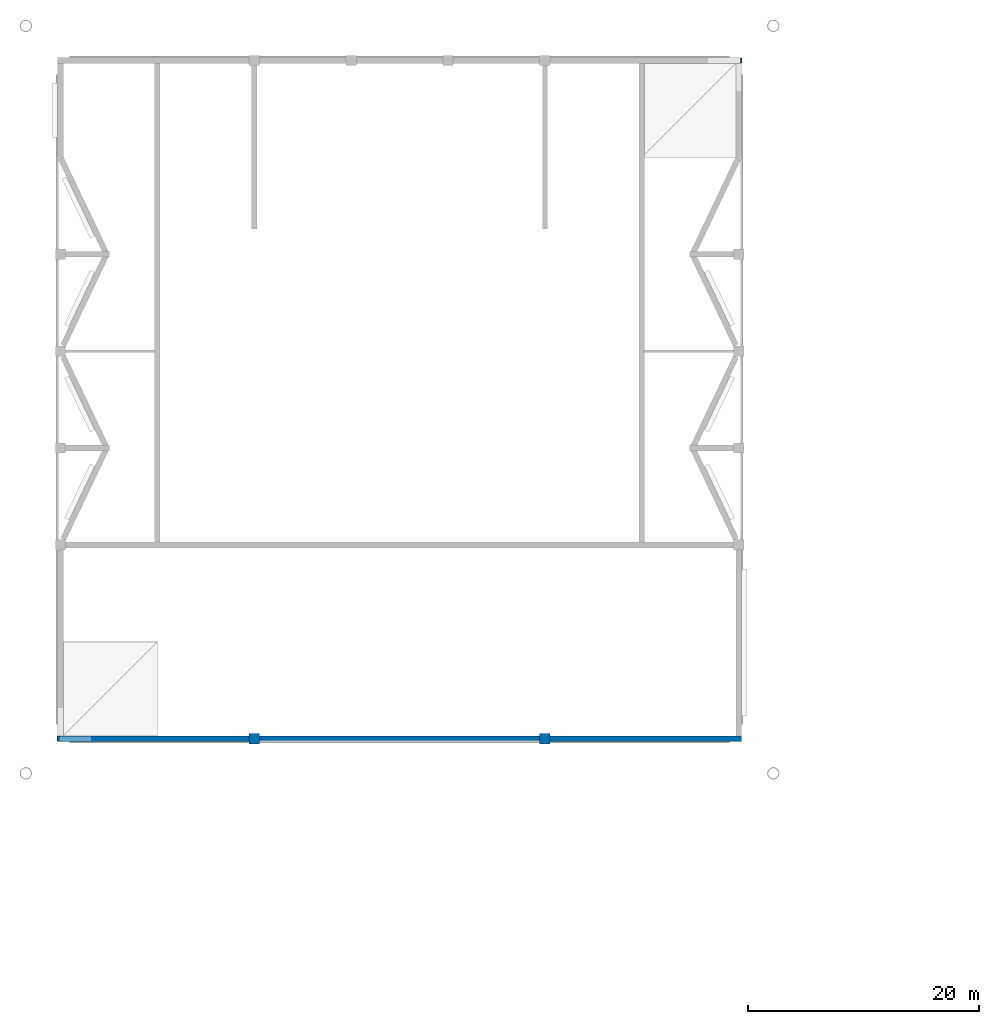
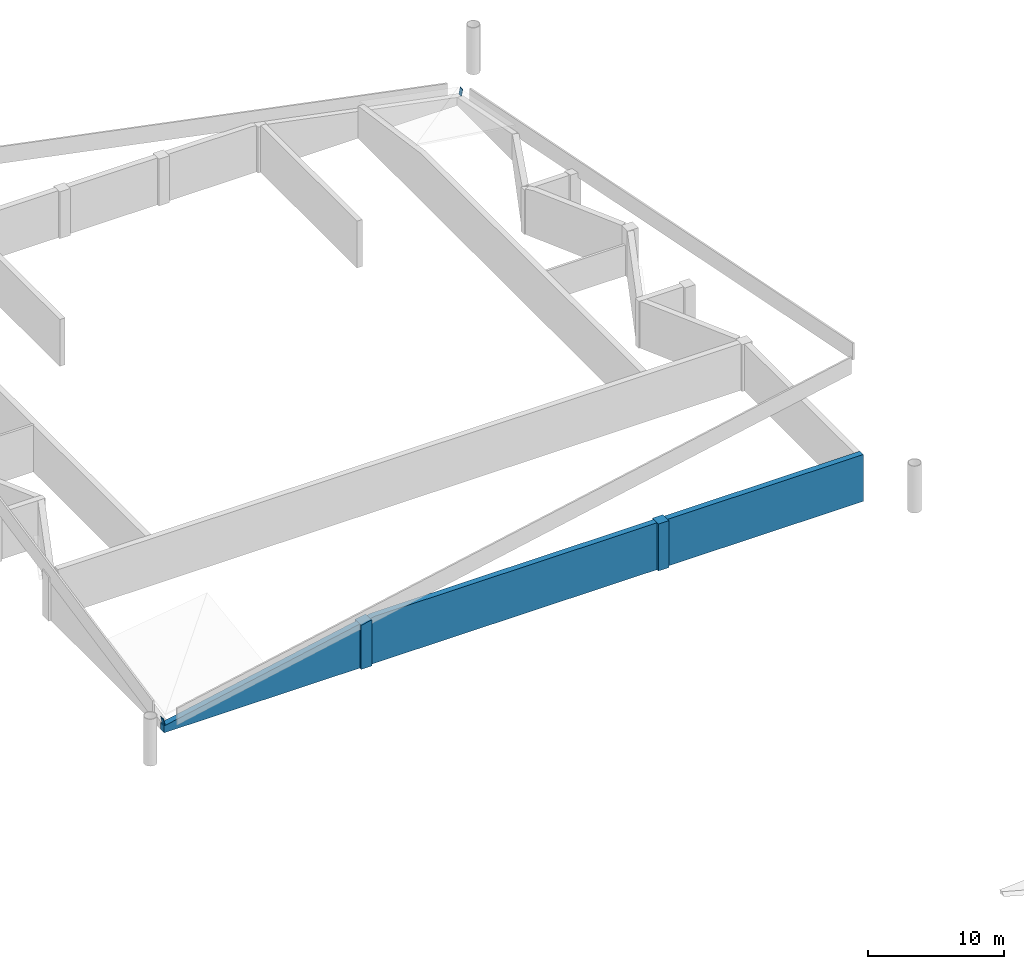
# One storey, part 9 of 21: 5 walls, 2 plates.
"""IFC4 building model written with IfcOpenShell, lengths in metres."""

from ifc_helpers import new_model, si_unit, direction, frame, frame_2d, origin, origin_2d, place, context, subcontext, project, spatial, polyline, rectangle, outline, extrude, material, layer, layer_set, type_object, element, save


model = new_model("IFC4")

# Units and contexts
model_context = context("Model", 3, precision=1e-05, world=origin(), true_north=direction((0.0, 1.0)))
body_context = subcontext(model_context, "Body", "Model", "MODEL_VIEW")
ifc_project = project(units=[si_unit("LENGTHUNIT", "METRE"), si_unit("AREAUNIT", "SQUARE_METRE"), si_unit("VOLUMEUNIT", "CUBIC_METRE"), si_unit("PLANEANGLEUNIT", "RADIAN"), si_unit("MASSUNIT", "GRAM", prefix="KILO")], contexts=[model_context])

# Site, building, storey
site_placement = place(None, origin())
site = spatial("IfcSite", under=ifc_project, at=site_placement, CompositionType="ELEMENT")
building_placement = place(site_placement, origin())
building = spatial("IfcBuilding", under=site, at=building_placement, Name="Cresset Court Congress Hotel", CompositionType="ELEMENT")
storey_placement = place(building_placement, frame((0.0, 0.0, 22.800048828125)))
storey = spatial("IfcBuildingStorey", under=building, at=storey_placement, Name="L05", CompositionType="ELEMENT", Elevation=22.800048828125)

# Plates
ifc_material_1 = material(Name="Structural steel Q355B", Category="steel")
ifc_layer_1 = layer(ifc_material_1, 0.02490234375)
ifc_layer_set_1 = layer_set([ifc_layer_1], Name="Ring beam end plate 600x400x25")
plate_type = type_object("IfcPlateType", Name="Ring beam end plate 600x400x25", PredefinedType="USERDEFINED", material=ifc_layer_set_1)
plate_1_placement = place(storey_placement, frame((58.575439453125, 58.800048828125, 0.929443359375), z_axis=(0.98095245073, 0.0, 0.194248010046), x_axis=(0.0, 1.0, 0.0)))
element("IfcPlate", 1, at=plate_1_placement, inside=storey, type_object=plate_type, Name="Ring beam end plate RB-S-1", ObjectType="END PLATE", PredefinedType="USERDEFINED", context=body_context, shape_type="SweptSolid", body=[
    extrude(rectangle(XDim=0.39990234375, YDim=0.60009765625, at=origin_2d()), origin(), (0.0, 0.0, 1.0), 0.025146484375),
])
plate_2_placement = place(storey_placement, frame((117.824462890625, 117.60009765625, 0.929443359375), z_axis=(-0.980580675691, 0.0, 0.196116135138), x_axis=(0.0, -1.0, 0.0)))
element("IfcPlate", 2, at=plate_2_placement, inside=storey, type_object=plate_type, Name="Ring beam end plate RB-N-1", ObjectType="END PLATE", PredefinedType="USERDEFINED", context=body_context, shape_type="SweptSolid", body=[
    extrude(rectangle(XDim=0.39990234375, YDim=0.60009765625, at=origin_2d()), origin(), (0.0, 0.0, 1.0), 0.02490234375),
])

# Walls
ifc_material_2 = material(Name="Limestone-faced precast concrete C50", Category="masonry")
ifc_layer_2 = layer(ifc_material_2, 0.5)
ifc_layer_set_2 = layer_set([ifc_layer_2], Name="Hall perimeter wall 500")
wall_type_1 = type_object("IfcWallType", Name="Hall perimeter wall 500", PredefinedType="SOLIDWALL", material=ifc_layer_set_2)
wall_1_placement = place(storey_placement, frame((75.14990234375, 58.800048828125, 0.0), z_axis=(0.0, 0.0, 1.0), x_axis=(-1.0, 0.0, 0.0)))
element("IfcWall", 3, at=wall_1_placement, inside=storey, type_object=wall_type_1, Name="Wall CW-SL05-1", PredefinedType="SOLIDWALL", context=body_context, shape_type="SweptSolid", body=[
    extrude(outline(polyline([(0.0, 0.0), (16.599853515625, 0.0), (16.60009765625, 0.618408203125), (0.0, 3.94970703125), (0.0, 0.0)])), frame((0.0, 0.25, 0.0), z_axis=(0.0, -1.0, 0.0), x_axis=(1.0, 0.0, 0.0)), (0.0, 0.0, 1.0), 0.5),
])
wall_2_placement = place(storey_placement, frame((100.35009765625, 58.800048828125, 0.0), z_axis=(0.0, 0.0, 1.0), x_axis=(-1.0, 0.0, 0.0)))
element("IfcWall", 4, at=wall_2_placement, inside=storey, type_object=wall_type_1, Name="Wall CW-SL05-2", PredefinedType="SOLIDWALL", context=body_context, shape_type="SweptSolid", body=[
    extrude(outline(polyline([(0.0, 0.0), (24.300048828125, 0.0), (24.300048828125, 4.130126953125), (23.95263671875, 4.199951171875), (0.0, 4.199951171875), (0.0, 0.0)])), frame((0.0, 0.25, 0.0), z_axis=(0.0, -1.0, 0.0), x_axis=(1.0, 0.0, 0.0)), (0.0, 0.0, 1.0), 0.5),
])
wall_3_placement = place(storey_placement, frame((117.85009765625, 58.800048828125, 0.0), z_axis=(0.0, 0.0, 1.0), x_axis=(-1.0, 0.0, 0.0)))
element("IfcWall", 5, at=wall_3_placement, inside=storey, type_object=wall_type_1, Name="Wall CW-SL05-3", PredefinedType="SOLIDWALL", context=body_context, shape_type="SweptSolid", body=[
    extrude(rectangle(XDim=16.60009765625, YDim=0.5, at=frame_2d((8.300048828125, 0.0))), origin(), (0.0, 0.0, 1.0), 4.199951171875),
])
ifc_material_3 = material(Name="Concrete C50", Category="concrete")
ifc_layer_3 = layer(ifc_material_3, 0.89990234375)
ifc_layer_set_3 = layer_set([ifc_layer_3], Name="Hall pilaster 900x900")
wall_type_2 = type_object("IfcWallType", Name="Hall pilaster 900x900", PredefinedType="SOLIDWALL", material=ifc_layer_set_3)
wall_4_placement = place(storey_placement, frame((75.14990234375, 58.800048828125, 0.0), z_axis=(0.0, 0.0, 1.0), x_axis=(1.0, 0.0, 0.0)))
element("IfcWall", 6, at=wall_4_placement, inside=storey, type_object=wall_type_2, Name="Pilaster P-S1", PredefinedType="SOLIDWALL", context=body_context, shape_type="SweptSolid", body=[
    extrude(outline(polyline([(0.0, 0.0), (0.900146484375, 0.0), (0.89990234375, 4.130126953125), (0.0, 3.94970703125), (0.0, 0.0)])), frame((0.0, 0.449951171875, 0.0), z_axis=(0.0, -1.0, 0.0), x_axis=(1.0, 0.0, 0.0)), (0.0, 0.0, 1.0), 0.89990234375),
])
wall_5_placement = place(storey_placement, frame((100.35009765625, 58.800048828125, 0.0), z_axis=(0.0, 0.0, 1.0), x_axis=(1.0, 0.0, 0.0)))
element("IfcWall", 7, at=wall_5_placement, inside=storey, type_object=wall_type_2, Name="Pilaster P-S2", PredefinedType="SOLIDWALL", context=body_context, shape_type="SweptSolid", body=[
    extrude(rectangle(XDim=0.89990234375, YDim=0.89990234375, at=frame_2d((0.449951171875, 0.0))), origin(), (0.0, 0.0, 1.0), 4.199951171875),
])

save(model, "model.ifc")
